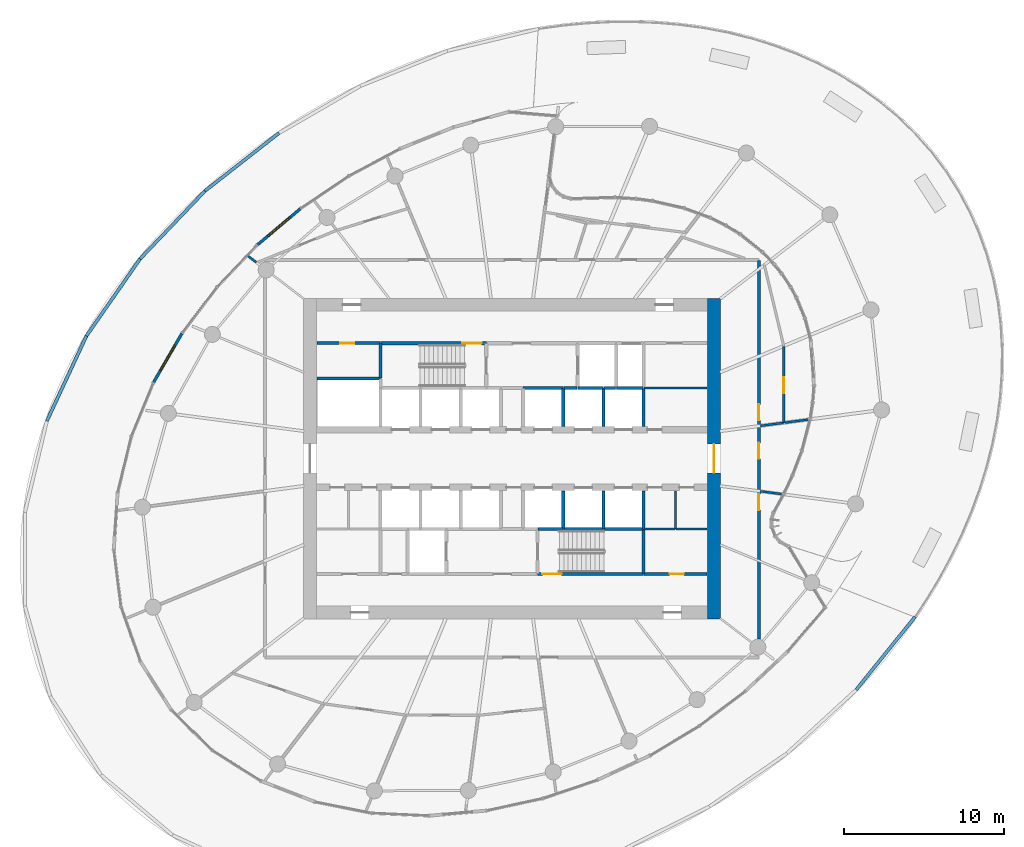
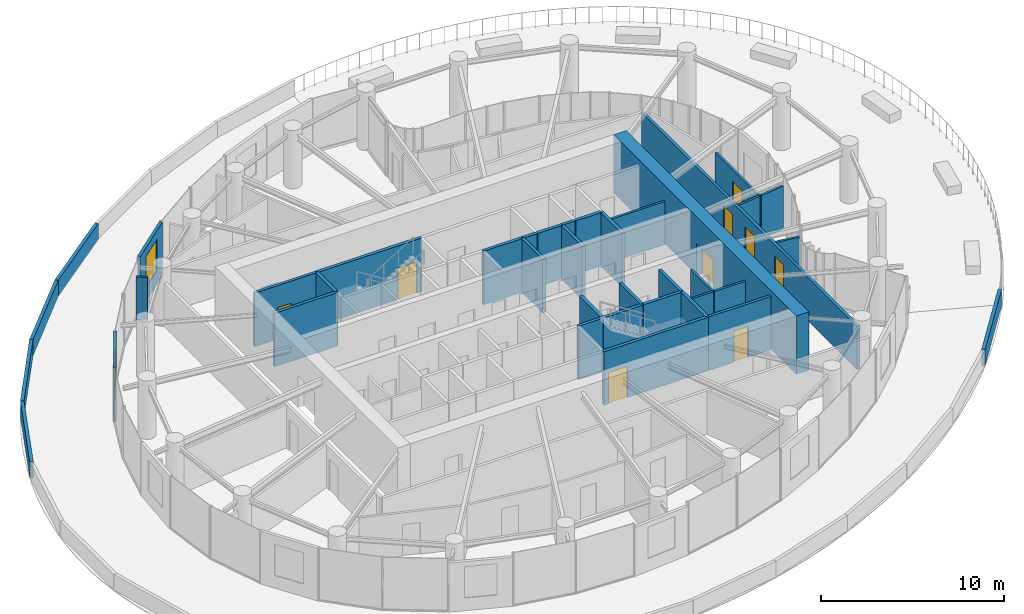
# One storey, part 15 of 21: 39 walls, 9 doors, 2 windows, 11 openings.
"""IFC4 building model written with IfcOpenShell, lengths in metres."""

from ifc_helpers import new_model, si_unit, direction, frame, frame_2d, origin, place, context, subcontext, project, spatial, rectangle, extrude, source, transform, mapped, material, layer, layer_set, type_object, element, fill, save


model = new_model("IFC4")

# Units and contexts
model_context = context("Model", 3, precision=1e-05, world=origin(), true_north=direction((0.0, 1.0)))
body_context = subcontext(model_context, "Body", "Model", "MODEL_VIEW")
ifc_project = project(units=[si_unit("LENGTHUNIT", "METRE"), si_unit("AREAUNIT", "SQUARE_METRE"), si_unit("VOLUMEUNIT", "CUBIC_METRE"), si_unit("PLANEANGLEUNIT", "RADIAN"), si_unit("MASSUNIT", "GRAM", prefix="KILO")], contexts=[model_context])

# Site, building, storey
site_placement = place(None, origin())
site = spatial("IfcSite", under=ifc_project, at=site_placement, CompositionType="ELEMENT")
building_placement = place(site_placement, origin())
building = spatial("IfcBuilding", under=site, at=building_placement, Name="Spindrift Exchange Tower", CompositionType="ELEMENT")
storey_placement = place(building_placement, frame((0.0, 0.0, 133.10009765625)))
storey = spatial("IfcBuildingStorey", under=building, at=storey_placement, Name="L31", CompositionType="ELEMENT", Elevation=133.10009765625)

# Walls
ifc_material_1 = material(Name="Concrete 40 MPa", Category="concrete")
ifc_layer_1 = layer(ifc_material_1, 0.199951171875)
ifc_layer_set_1 = layer_set([ifc_layer_1], Name="LEDGE PARAPET 1100")
wall_type_1 = type_object("IfcWallType", Name="LEDGE PARAPET 1100", PredefinedType="PARAPET", material=ifc_layer_set_1)
wall_1_placement = place(storey_placement, frame((77.1533203125, 38.13134765625, 0.0), z_axis=(0.0, 0.0, 1.0), x_axis=(-0.628118866057, -0.778117401234, 0.0)))
element("IfcWall", 1, at=wall_1_placement, inside=storey, type_object=wall_type_1, Name="L31 Ledge Parapet 1", PredefinedType="PARAPET", context=body_context, shape_type="SweptSolid", body=[
    extrude(rectangle(XDim=5.859375, YDim=0.199951171875, at=frame_2d((2.9296875, 0.0))), origin(), (0.0, 0.0, 1.0), 1.099853515625),
])
wall_2_placement = place(storey_placement, frame((22.977783203125, 50.34228515625, 0.0), z_axis=(0.0, 0.0, 1.0), x_axis=(0.421792115141, 0.906692567304, 0.0)))
element("IfcWall", 2, at=wall_2_placement, inside=storey, type_object=wall_type_1, Name="L31 Ledge Parapet 15", PredefinedType="PARAPET", context=body_context, shape_type="SweptSolid", body=[
    extrude(rectangle(XDim=5.85693359375, YDim=0.199951171875, at=frame_2d((2.928466796875, 0.0))), origin(), (0.0, 0.0, 1.0), 1.099853515625),
])
wall_3_placement = place(storey_placement, frame((25.4482421875, 55.65283203125, 0.0), z_axis=(0.0, 0.0, 1.0), x_axis=(0.571368470794, 0.820693652091, 0.0)))
element("IfcWall", 3, at=wall_3_placement, inside=storey, type_object=wall_type_1, Name="L31 Ledge Parapet 16", PredefinedType="PARAPET", context=body_context, shape_type="SweptSolid", body=[
    extrude(rectangle(XDim=5.858642578125, YDim=0.199951171875, at=frame_2d((2.92919921875, 0.0))), origin(), (0.0, 0.0, 1.0), 1.099853515625),
])
wall_4_placement = place(storey_placement, frame((28.795654296875, 60.4609375, 0.0), z_axis=(0.0, 0.0, 1.0), x_axis=(0.690863095069, 0.722985604194, 0.0)))
element("IfcWall", 4, at=wall_4_placement, inside=storey, type_object=wall_type_1, Name="L31 Ledge Parapet 17", PredefinedType="PARAPET", context=body_context, shape_type="SweptSolid", body=[
    extrude(rectangle(XDim=5.85986328125, YDim=0.199951171875, at=frame_2d((2.929931640625, 0.0))), origin(), (0.0, 0.0, 1.0), 1.099853515625),
])
wall_5_placement = place(storey_placement, frame((32.843994140625, 64.697509765625, 0.0), z_axis=(0.0, 0.0, 1.0), x_axis=(0.787606085657, 0.616179076111, 0.0)))
element("IfcWall", 5, at=wall_5_placement, inside=storey, type_object=wall_type_1, Name="L31 Ledge Parapet 18", PredefinedType="PARAPET", context=body_context, shape_type="SweptSolid", body=[
    extrude(rectangle(XDim=5.8603515625, YDim=0.199951171875, at=frame_2d((2.93017578125, 0.0))), origin(), (0.0, 0.0, 1.0), 1.099853515625),
])

# Wall, opening, door
ifc_material_2 = material(Name="Concrete 65 MPa", Category="concrete")
ifc_layer_2 = layer(ifc_material_2, 0.800048828125)
ifc_layer_set_2 = layer_set([ifc_layer_2], Name="RC Core Wall 800 Concrete 65 MPa")
wall_type_2 = type_object("IfcWallType", Name="RC Core Wall 800 Concrete 65 MPa", PredefinedType="SHEAR", material=ifc_layer_set_2)
wall_6_placement = place(storey_placement, frame((64.60009765625, 38.0, 0.0), z_axis=(0.0, 0.0, 1.0), x_axis=(0.0, 1.0, 0.0)))
wall_6 = element("IfcWall", 6, at=wall_6_placement, inside=storey, type_object=wall_type_2, Name="Core wall E L31", PredefinedType="SHEAR", context=body_context, shape_type="SweptSolid", body=[
    extrude(rectangle(XDim=20.0, YDim=0.800048828125, at=frame_2d((10.0, 0.0))), origin(), (0.0, 0.0, 1.0), 3.89990234375),
])
opening_1_placement = place(wall_6_placement, frame((9.10009765625, 0.0, 0.0)))
opening_1 = element("IfcOpeningElement", 7, at=opening_1_placement, cuts=wall_6, Name="Opening L31-D2", PredefinedType="OPENING", context=body_context, shape_type="SweptSolid", body=[
    extrude(rectangle(XDim=1.800048828125, YDim=2.10009765625, at=frame_2d((0.89990234375, 1.050048828125))), frame((0.0, 0.409912109375, 0.0), z_axis=(0.0, -1.0, 0.0), x_axis=(1.0, 0.0, 0.0)), (0.0, 0.0, 1.0), 0.820068359375),
])
ifc_material_3 = material(Name="Timber-core fire door", Category="wood")
door_type_1 = type_object("IfcDoorType", Name="DR-LOBBY-1800", OperationType="NOTDEFINED", PredefinedType="DOOR", material=ifc_material_3)
shared_shape_1 = source(origin(), body_context, "Body", "SweptSolid", [
    extrude(rectangle(XDim=1.800048828125, YDim=2.10009765625, at=frame_2d((0.89990234375, 1.050048828125))), frame((0.0, 0.02490234375, 0.0), z_axis=(0.0, -1.0, 0.0), x_axis=(1.0, 0.0, 0.0)), (0.0, 0.0, 1.0), 0.050048828125),
])
door_1_placement = place(opening_1_placement, origin())
door_1 = element("IfcDoor", 8, at=door_1_placement, inside=storey, type_object=door_type_1, Name="L31 Lobby door 2", OperationType="SINGLE_SWING_RIGHT", OverallHeight=2.10009765625, OverallWidth=1.800048828125, PredefinedType="DOOR", context=body_context, shape_type="MappedRepresentation", body=[
    mapped(shared_shape_1, transform((0.0, 0.0, 0.0), scale=1.0)),
])
fill(opening_1, door_1)

# Wall, opening, window
ifc_material_4 = material(Name="Bronze anodised aluminium frame with fritted laminated glass spandrel", Category="aluminium")
ifc_layer_3 = layer(ifc_material_4, 0.179931640625)
ifc_layer_set_3 = layer_set([ifc_layer_3], Name="UNITISED FRAME WALL")
wall_type_3 = type_object("IfcWallType", Name="UNITISED FRAME WALL", PredefinedType="STANDARD", material=ifc_layer_set_3)
wall_7_placement = place(storey_placement, frame((38.813232421875, 63.601806640625, 0.0), z_axis=(0.0, 0.0, 1.0), x_axis=(-0.765266094185, -0.643714070913, 0.0)))
wall_7 = element("IfcWall", 9, at=wall_7_placement, inside=storey, type_object=wall_type_3, Name="L31 Frame Wall 5", PredefinedType="STANDARD", context=body_context, shape_type="SweptSolid", body=[
    extrude(rectangle(XDim=3.531005859375, YDim=0.179931640625, at=frame_2d((1.765625, 0.0))), origin(), (0.0, 0.0, 1.0), 3.579833984375),
])
opening_2_placement = place(wall_7_placement, frame((0.865478515625, 0.0, 0.89990234375)))
opening_2 = element("IfcOpeningElement", 10, at=opening_2_placement, cuts=wall_7, Name="Opening WV31-02", PredefinedType="OPENING", context=body_context, shape_type="SweptSolid", body=[
    extrude(rectangle(XDim=1.800048828125, YDim=2.10009765625, at=frame_2d((0.89990234375, 1.050048828125))), frame((0.0, 0.099853515625, 0.0), z_axis=(0.0, -1.0, 0.0), x_axis=(1.0, 0.0, 0.0)), (0.0, 0.0, 1.0), 0.199951171875),
])
ifc_material_5 = material(Name="Clear laminated low-iron glass in bronze frame", Category="glass")
window_type = type_object("IfcWindowType", Name="OPERABLE CLEAR VENT 1800X2100", PartitioningType="SINGLE_PANEL", PredefinedType="WINDOW", material=ifc_material_5)
shared_shape_2 = source(origin(), body_context, "Body", "SweptSolid", [
    extrude(rectangle(XDim=1.800048828125, YDim=2.10009765625, at=frame_2d((0.89990234375, 1.050048828125))), frame((0.0, 0.030029296875, 0.0), z_axis=(0.0, -1.0, 0.0), x_axis=(1.0, 0.0, 0.0)), (0.0, 0.0, 1.0), 0.06005859375),
])
window_1_placement = place(opening_2_placement, origin())
window_1 = element("IfcWindow", 11, at=window_1_placement, inside=storey, type_object=window_type, Name="L31 Operable Vent WV31-02", OverallHeight=2.10009765625, OverallWidth=1.800048828125, PartitioningType="SINGLE_PANEL", PredefinedType="WINDOW", context=body_context, shape_type="MappedRepresentation", body=[
    mapped(shared_shape_2, transform((0.0, 0.0, 0.0), scale=1.0)),
])
fill(opening_2, window_1)

wall_8_placement = place(storey_placement, frame((31.404052734375, 55.8037109375, 0.0), z_axis=(0.0, 0.0, 1.0), x_axis=(-0.501551441293, -0.865127823929, 0.0)))
wall_8 = element("IfcWall", 12, at=wall_8_placement, inside=storey, type_object=wall_type_3, Name="L31 Frame Wall 8", PredefinedType="STANDARD", context=body_context, shape_type="SweptSolid", body=[
    extrude(rectangle(XDim=3.530029296875, YDim=0.179931640625, at=frame_2d((1.76513671875, 0.0))), origin(), (0.0, 0.0, 1.0), 3.579833984375),
])
opening_3_placement = place(wall_8_placement, frame((0.864990234375, 0.0, 0.89990234375)))
opening_3 = element("IfcOpeningElement", 13, at=opening_3_placement, cuts=wall_8, Name="Opening WV31-03", PredefinedType="OPENING", context=body_context, shape_type="SweptSolid", body=[
    extrude(rectangle(XDim=1.800048828125, YDim=2.10009765625, at=frame_2d((0.89990234375, 1.050048828125))), frame((0.0, 0.099853515625, 0.0), z_axis=(0.0, -1.0, 0.0), x_axis=(1.0, 0.0, 0.0)), (0.0, 0.0, 1.0), 0.199951171875),
])
window_2_placement = place(opening_3_placement, origin())
window_2 = element("IfcWindow", 14, at=window_2_placement, inside=storey, type_object=window_type, Name="L31 Operable Vent WV31-03", OverallHeight=2.10009765625, OverallWidth=1.800048828125, PartitioningType="SINGLE_PANEL", PredefinedType="WINDOW", context=body_context, shape_type="MappedRepresentation", body=[
    mapped(shared_shape_2, transform((0.0, 0.0, 0.0), scale=1.0)),
])
fill(opening_3, window_2)

# Wall, openings, doors
ifc_material_6 = material(Name="Fire-rated plasterboard partition", Category="gypsum")
ifc_layer_4 = layer(ifc_material_6, 0.179931640625)
ifc_layer_set_4 = layer_set([ifc_layer_4], Name="W-CORR-180")
wall_type_4 = type_object("IfcWallType", Name="W-CORR-180", PredefinedType="PARTITIONING", material=ifc_layer_set_4)
wall_9_placement = place(storey_placement, frame((67.39990234375, 60.3701171875, 0.0), z_axis=(0.0, 0.0, 1.0), x_axis=(0.0, -1.0, 0.0)))
wall_9 = element("IfcWall", 15, at=wall_9_placement, inside=storey, type_object=wall_type_4, Name="L31 Partition wall 60", PredefinedType="PARTITIONING", context=body_context, shape_type="SweptSolid", body=[
    extrude(rectangle(XDim=23.6376953125, YDim=0.179931640625, at=frame_2d((11.81884765625, 0.0))), origin(), (0.0, 0.0, 1.0), 2.8798828125),
])
opening_4_placement = place(wall_9_placement, frame((8.987548828125, 0.0, 0.0)))
opening_4 = element("IfcOpeningElement", 16, at=opening_4_placement, cuts=wall_9, Name="Opening L31-D29", PredefinedType="OPENING", context=body_context, shape_type="SweptSolid", body=[
    extrude(rectangle(XDim=1.0, YDim=2.10009765625, at=frame_2d((0.5, 1.050048828125))), frame((0.0, 0.099853515625, 0.0), z_axis=(0.0, -1.0, 0.0), x_axis=(1.0, 0.0, 0.0)), (0.0, 0.0, 1.0), 0.199951171875),
])
opening_5_placement = place(wall_9_placement, frame((14.58740234375, 0.0, 0.0)))
opening_5 = element("IfcOpeningElement", 17, at=opening_5_placement, cuts=wall_9, Name="Opening L31-D48", PredefinedType="OPENING", context=body_context, shape_type="SweptSolid", body=[
    extrude(rectangle(XDim=1.0, YDim=2.10009765625, at=frame_2d((0.5, 1.050048828125))), frame((0.0, 0.099853515625, 0.0), z_axis=(0.0, -1.0, 0.0), x_axis=(1.0, 0.0, 0.0)), (0.0, 0.0, 1.0), 0.199951171875),
])
opening_6_placement = place(wall_9_placement, frame((11.387451171875, 0.0, 0.0)))
opening_6 = element("IfcOpeningElement", 18, at=opening_6_placement, cuts=wall_9, Name="Opening L31-D49", PredefinedType="OPENING", context=body_context, shape_type="SweptSolid", body=[
    extrude(rectangle(XDim=1.0, YDim=2.10009765625, at=frame_2d((0.5, 1.050048828125))), frame((0.0, 0.099853515625, 0.0), z_axis=(0.0, -1.0, 0.0), x_axis=(1.0, 0.0, 0.0)), (0.0, 0.0, 1.0), 0.199951171875),
])
door_type_2 = type_object("IfcDoorType", Name="DR-ROOM-1000", OperationType="NOTDEFINED", PredefinedType="DOOR", material=ifc_material_3)
shared_shape_3 = source(origin(), body_context, "Body", "SweptSolid", [
    extrude(rectangle(XDim=1.0, YDim=2.10009765625, at=frame_2d((0.5, 1.050048828125))), frame((0.0, 0.02490234375, 0.0), z_axis=(0.0, -1.0, 0.0), x_axis=(1.0, 0.0, 0.0)), (0.0, 0.0, 1.0), 0.050048828125),
])
door_2_placement = place(opening_4_placement, origin())
door_2 = element("IfcDoor", 19, at=door_2_placement, inside=storey, type_object=door_type_2, Name="L31 Door 29", OperationType="SINGLE_SWING_RIGHT", OverallHeight=2.10009765625, OverallWidth=1.0, PredefinedType="DOOR", context=body_context, shape_type="MappedRepresentation", body=[
    mapped(shared_shape_3, transform((0.0, 0.0, 0.0), scale=1.0)),
])
fill(opening_4, door_2)
door_3_placement = place(opening_5_placement, origin())
door_3 = element("IfcDoor", 20, at=door_3_placement, inside=storey, type_object=door_type_2, Name="L31 Door 48", OperationType="SINGLE_SWING_LEFT", OverallHeight=2.10009765625, OverallWidth=1.0, PredefinedType="DOOR", context=body_context, shape_type="MappedRepresentation", body=[
    mapped(shared_shape_3, transform((0.0, 0.0, 0.0), scale=1.0)),
])
fill(opening_5, door_3)
door_4_placement = place(opening_6_placement, origin())
door_4 = element("IfcDoor", 21, at=door_4_placement, inside=storey, type_object=door_type_2, Name="L31 Door 49", OperationType="SINGLE_SWING_RIGHT", OverallHeight=2.10009765625, OverallWidth=1.0, PredefinedType="DOOR", context=body_context, shape_type="MappedRepresentation", body=[
    mapped(shared_shape_3, transform((0.0, 0.0, 0.0), scale=1.0)),
])
fill(opening_6, door_4)

# Wall, opening, door
wall_10_placement = place(storey_placement, frame((60.22998046875, 40.800048828125, 0.0), z_axis=(0.0, 0.0, 1.0), x_axis=(1.0, 0.0, 0.0)))
wall_10 = element("IfcWall", 22, at=wall_10_placement, inside=storey, type_object=wall_type_4, Name="L31 Partition wall 61", PredefinedType="PARTITIONING", context=body_context, shape_type="SweptSolid", body=[
    extrude(rectangle(XDim=3.949951171875, YDim=0.179931640625, at=frame_2d((1.97509765625, 0.0))), origin(), (0.0, 0.0, 1.0), 3.579833984375),
])
opening_7_placement = place(wall_10_placement, frame((1.60009765625, 0.0, 0.0)))
opening_7 = element("IfcOpeningElement", 23, at=opening_7_placement, cuts=wall_10, Name="Opening L31-D56", PredefinedType="OPENING", context=body_context, shape_type="SweptSolid", body=[
    extrude(rectangle(XDim=0.89990234375, YDim=2.10009765625, at=frame_2d((0.449951171875, 1.050048828125))), frame((0.0, 0.099853515625, 0.0), z_axis=(0.0, -1.0, 0.0), x_axis=(1.0, 0.0, 0.0)), (0.0, 0.0, 1.0), 0.199951171875),
])
ifc_material_7 = material(Name="Steel access door", Category="steel")
door_type_3 = type_object("IfcDoorType", Name="DR-RISER-900", OperationType="NOTDEFINED", PredefinedType="DOOR", material=ifc_material_7)
shared_shape_4 = source(origin(), body_context, "Body", "SweptSolid", [
    extrude(rectangle(XDim=0.89990234375, YDim=2.10009765625, at=frame_2d((0.449951171875, 1.050048828125))), frame((0.0, 0.02490234375, 0.0), z_axis=(0.0, -1.0, 0.0), x_axis=(1.0, 0.0, 0.0)), (0.0, 0.0, 1.0), 0.050048828125),
])
door_5_placement = place(opening_7_placement, origin())
door_5 = element("IfcDoor", 24, at=door_5_placement, inside=storey, type_object=door_type_3, Name="L31 Riser door 56", OperationType="SINGLE_SWING_LEFT", OverallHeight=2.10009765625, OverallWidth=0.89990234375, PredefinedType="DOOR", context=body_context, shape_type="MappedRepresentation", body=[
    mapped(shared_shape_4, transform((0.0, 0.0, 0.0), scale=1.0)),
])
fill(opening_7, door_5)

wall_11_placement = place(storey_placement, frame((43.77001953125, 55.199951171875, 0.0), z_axis=(0.0, 0.0, 1.0), x_axis=(-1.0, 0.0, 0.0)))
wall_11 = element("IfcWall", 25, at=wall_11_placement, inside=storey, type_object=wall_type_4, Name="L31 Partition wall 64", PredefinedType="PARTITIONING", context=body_context, shape_type="SweptSolid", body=[
    extrude(rectangle(XDim=3.949951171875, YDim=0.179931640625, at=frame_2d((1.97509765625, 0.0))), origin(), (0.0, 0.0, 1.0), 3.579833984375),
])
opening_8_placement = place(wall_11_placement, frame((1.60009765625, 0.0, 0.0)))
opening_8 = element("IfcOpeningElement", 26, at=opening_8_placement, cuts=wall_11, Name="Opening L31-D50", PredefinedType="OPENING", context=body_context, shape_type="SweptSolid", body=[
    extrude(rectangle(XDim=0.89990234375, YDim=2.10009765625, at=frame_2d((0.449951171875, 1.050048828125))), frame((0.0, 0.099853515625, 0.0), z_axis=(0.0, -1.0, 0.0), x_axis=(1.0, 0.0, 0.0)), (0.0, 0.0, 1.0), 0.199951171875),
])
door_6_placement = place(opening_8_placement, origin())
door_6 = element("IfcDoor", 27, at=door_6_placement, inside=storey, type_object=door_type_3, Name="L31 Riser door 50", OperationType="SINGLE_SWING_LEFT", OverallHeight=2.10009765625, OverallWidth=0.89990234375, PredefinedType="DOOR", context=body_context, shape_type="MappedRepresentation", body=[
    mapped(shared_shape_4, transform((0.0, 0.0, 0.0), scale=1.0)),
])
fill(opening_8, door_6)

ifc_layer_5 = layer(ifc_material_6, 0.139892578125)
ifc_layer_set_5 = layer_set([ifc_layer_5], Name="W-PART-140")
wall_type_5 = type_object("IfcWallType", Name="W-PART-140", PredefinedType="PARTITIONING", material=ifc_layer_set_5)
wall_12_placement = place(storey_placement, frame((68.955322265625, 54.9931640625, 0.0), z_axis=(0.0, 0.0, 1.0), x_axis=(0.001230894544, -0.999999242449, 0.0)))
wall_12 = element("IfcWall", 28, at=wall_12_placement, inside=storey, type_object=wall_type_5, Name="L31 Partition wall 72", PredefinedType="PARTITIONING", context=body_context, shape_type="SweptSolid", body=[
    extrude(rectangle(XDim=4.76025390625, YDim=0.139892578125, at=frame_2d((2.380126953125, 0.0))), origin(), (0.0, 0.0, 1.0), 2.8798828125),
])
opening_9_placement = place(wall_12_placement, frame((1.91015625, 0.0, 0.0)))
opening_9 = element("IfcOpeningElement", 29, at=opening_9_placement, cuts=wall_12, Name="Opening L31-D30", PredefinedType="OPENING", context=body_context, shape_type="SweptSolid", body=[
    extrude(rectangle(XDim=1.0, YDim=2.10009765625, at=frame_2d((0.5, 1.050048828125))), frame((0.0, 0.079833984375, 0.0), z_axis=(0.0, -1.0, 0.0), x_axis=(1.0, 0.0, 0.0)), (0.0, 0.0, 1.0), 0.159912109375),
])
door_7_placement = place(opening_9_placement, origin())
door_7 = element("IfcDoor", 30, at=door_7_placement, inside=storey, type_object=door_type_2, Name="L31 Door 30", OperationType="SINGLE_SWING_LEFT", OverallHeight=2.10009765625, OverallWidth=1.0, PredefinedType="DOOR", context=body_context, shape_type="MappedRepresentation", body=[
    mapped(shared_shape_3, transform((0.0, 0.0, 0.0), scale=1.0)),
])
fill(opening_9, door_7)

# Walls
wall_13_placement = place(storey_placement, frame((64.179931640625, 52.39990234375, 0.0), z_axis=(0.0, 0.0, 1.0), x_axis=(-1.0, 0.0, 0.0)))
element("IfcWall", 31, at=wall_13_placement, inside=storey, type_object=wall_type_5, Name="L31 Partition wall 82", PredefinedType="PARTITIONING", context=body_context, shape_type="SweptSolid", body=[
    extrude(rectangle(XDim=3.949951171875, YDim=0.139892578125, at=frame_2d((1.97509765625, 0.0))), origin(), (0.0, 0.0, 1.0), 2.8798828125),
])
wall_14_placement = place(storey_placement, frame((62.199951171875, 43.60009765625, 0.0), z_axis=(0.0, 0.0, 1.0), x_axis=(0.0, 1.0, 0.0)))
element("IfcWall", 32, at=wall_14_placement, inside=storey, type_object=wall_type_5, Name="L31 Partition wall 90", PredefinedType="PARTITIONING", context=body_context, shape_type="SweptSolid", body=[
    extrude(rectangle(XDim=2.389892578125, YDim=0.139892578125, at=frame_2d((1.19482421875, 0.0))), origin(), (0.0, 0.0, 1.0), 2.8798828125),
])
wall_15_placement = place(storey_placement, frame((60.22998046875, 43.60009765625, 0.0), z_axis=(0.0, 0.0, 1.0), x_axis=(1.0, 0.0, 0.0)))
element("IfcWall", 33, at=wall_15_placement, inside=storey, type_object=wall_type_5, Name="L31 Partition wall 93", PredefinedType="PARTITIONING", context=body_context, shape_type="SweptSolid", body=[
    extrude(rectangle(XDim=1.93994140625, YDim=0.139892578125, at=frame_2d((0.969970703125, 0.0))), origin(), (0.0, 0.0, 1.0), 2.8798828125),
])
wall_16_placement = place(storey_placement, frame((62.22998046875, 43.60009765625, 0.0), z_axis=(0.0, 0.0, 1.0), x_axis=(1.0, 0.0, 0.0)))
element("IfcWall", 34, at=wall_16_placement, inside=storey, type_object=wall_type_5, Name="L31 Partition wall 94", PredefinedType="PARTITIONING", context=body_context, shape_type="SweptSolid", body=[
    extrude(rectangle(XDim=1.949951171875, YDim=0.139892578125, at=frame_2d((0.97509765625, 0.0))), origin(), (0.0, 0.0, 1.0), 2.8798828125),
])
wall_17_placement = place(storey_placement, frame((69.03125, 50.2421875, 0.0), z_axis=(0.0, 0.0, 1.0), x_axis=(0.991444899248, 0.130525904535, 0.0)))
element("IfcWall", 35, at=wall_17_placement, inside=storey, type_object=wall_type_5, Name="L31 Partition wall 98", PredefinedType="PARTITIONING", context=body_context, shape_type="SweptSolid", body=[
    extrude(rectangle(XDim=1.50390625, YDim=0.139892578125, at=frame_2d((0.751953125, 0.0))), origin(), (0.0, 0.0, 1.0), 2.8798828125),
])
wall_18_placement = place(storey_placement, frame((67.489990234375, 50.039306640625, 0.0), z_axis=(0.0, 0.0, 1.0), x_axis=(0.991450865751, 0.130480576336, 0.0)))
element("IfcWall", 36, at=wall_18_placement, inside=storey, type_object=wall_type_5, Name="L31 Partition wall 99", PredefinedType="PARTITIONING", context=body_context, shape_type="SweptSolid", body=[
    extrude(rectangle(XDim=1.453857421875, YDim=0.139892578125, at=frame_2d((0.72705078125, 0.0))), origin(), (0.0, 0.0, 1.0), 2.8798828125),
])
wall_19_placement = place(storey_placement, frame((67.489990234375, 45.960693359375, 0.0), z_axis=(0.0, 0.0, 1.0), x_axis=(0.991453697095, -0.130459060692, 0.0)))
element("IfcWall", 37, at=wall_19_placement, inside=storey, type_object=wall_type_5, Name="L31 Partition wall 100", PredefinedType="PARTITIONING", context=body_context, shape_type="SweptSolid", body=[
    extrude(rectangle(XDim=1.388671875, YDim=0.139892578125, at=frame_2d((0.6943359375, 0.0))), origin(), (0.0, 0.0, 1.0), 2.8798828125),
])
wall_20_placement = place(storey_placement, frame((36.04638671875, 60.24169921875, 0.0), z_axis=(0.0, 0.0, 1.0), x_axis=(-0.793476968481, 0.608600279732, 0.0)))
element("IfcWall", 38, at=wall_20_placement, inside=storey, type_object=wall_type_5, Name="L31 Partition wall 112", PredefinedType="PARTITIONING", context=body_context, shape_type="SweptSolid", body=[
    extrude(rectangle(XDim=0.637939453125, YDim=0.139892578125, at=frame_2d((0.31884765625, 0.0))), origin(), (0.0, 0.0, 1.0), 2.8798828125),
])
ifc_layer_6 = layer(ifc_material_1, 0.199951171875)
ifc_layer_set_6 = layer_set([ifc_layer_6], Name="W-SHAFT-200")
wall_type_6 = type_object("IfcWallType", Name="W-SHAFT-200", PredefinedType="SOLIDWALL", material=ifc_layer_set_6)
wall_21_placement = place(storey_placement, frame((55.199951171875, 52.39990234375, 0.0), z_axis=(0.0, 0.0, 1.0), x_axis=(-1.0, 0.0, 0.0)))
element("IfcWall", 39, at=wall_21_placement, inside=storey, type_object=wall_type_6, Name="L31 Shaft wall 18", PredefinedType="SOLIDWALL", context=body_context, shape_type="SweptSolid", body=[
    extrude(rectangle(XDim=2.5, YDim=0.199951171875, at=frame_2d((1.25, 0.0))), origin(), (0.0, 0.0, 1.0), 3.579833984375),
])
wall_22_placement = place(storey_placement, frame((55.199951171875, 50.010009765625, 0.0), z_axis=(0.0, 0.0, 1.0), x_axis=(0.0, 1.0, 0.0)))
element("IfcWall", 40, at=wall_22_placement, inside=storey, type_object=wall_type_6, Name="L31 Shaft wall 34", PredefinedType="SOLIDWALL", context=body_context, shape_type="SweptSolid", body=[
    extrude(rectangle(XDim=2.360107421875, YDim=0.199951171875, at=frame_2d((1.18017578125, 0.0))), origin(), (0.0, 0.0, 1.0), 3.579833984375),
])
wall_23_placement = place(storey_placement, frame((57.699951171875, 50.010009765625, 0.0), z_axis=(0.0, 0.0, 1.0), x_axis=(0.0, 1.0, 0.0)))
element("IfcWall", 41, at=wall_23_placement, inside=storey, type_object=wall_type_6, Name="L31 Shaft wall 36", PredefinedType="SOLIDWALL", context=body_context, shape_type="SweptSolid", body=[
    extrude(rectangle(XDim=2.389892578125, YDim=0.199951171875, at=frame_2d((1.19482421875, 0.0))), origin(), (0.0, 0.0, 1.0), 3.579833984375),
])
wall_24_placement = place(storey_placement, frame((60.199951171875, 50.010009765625, 0.0), z_axis=(0.0, 0.0, 1.0), x_axis=(0.0, 1.0, 0.0)))
element("IfcWall", 42, at=wall_24_placement, inside=storey, type_object=wall_type_6, Name="L31 Shaft wall 38", PredefinedType="SOLIDWALL", context=body_context, shape_type="SweptSolid", body=[
    extrude(rectangle(XDim=2.360107421875, YDim=0.199951171875, at=frame_2d((1.18017578125, 0.0))), origin(), (0.0, 0.0, 1.0), 3.579833984375),
])
wall_25_placement = place(storey_placement, frame((60.169921875, 52.39990234375, 0.0), z_axis=(0.0, 0.0, 1.0), x_axis=(-1.0, 0.0, 0.0)))
element("IfcWall", 43, at=wall_25_placement, inside=storey, type_object=wall_type_6, Name="L31 Shaft wall 42", PredefinedType="SOLIDWALL", context=body_context, shape_type="SweptSolid", body=[
    extrude(rectangle(XDim=1.639892578125, YDim=0.199951171875, at=frame_2d((0.81982421875, 0.0))), origin(), (0.0, 0.0, 1.0), 3.579833984375),
])
wall_26_placement = place(storey_placement, frame((57.669921875, 52.39990234375, 0.0), z_axis=(0.0, 0.0, 1.0), x_axis=(-1.0, 0.0, 0.0)))
element("IfcWall", 44, at=wall_26_placement, inside=storey, type_object=wall_type_6, Name="L31 Shaft wall 47", PredefinedType="SOLIDWALL", context=body_context, shape_type="SweptSolid", body=[
    extrude(rectangle(XDim=1.5400390625, YDim=0.199951171875, at=frame_2d((0.77001953125, 0.0))), origin(), (0.0, 0.0, 1.0), 3.579833984375),
])
wall_27_placement = place(storey_placement, frame((56.070068359375, 52.39990234375, 0.0), z_axis=(0.0, 0.0, 1.0), x_axis=(-1.0, 0.0, 0.0)))
element("IfcWall", 45, at=wall_27_placement, inside=storey, type_object=wall_type_6, Name="L31 Shaft wall 53", PredefinedType="SOLIDWALL", context=body_context, shape_type="SweptSolid", body=[
    extrude(rectangle(XDim=0.840087890625, YDim=0.199951171875, at=frame_2d((0.419921875, 0.0))), origin(), (0.0, 0.0, 1.0), 3.579833984375),
])
wall_28_placement = place(storey_placement, frame((58.469970703125, 52.39990234375, 0.0), z_axis=(0.0, 0.0, 1.0), x_axis=(-1.0, 0.0, 0.0)))
element("IfcWall", 46, at=wall_28_placement, inside=storey, type_object=wall_type_6, Name="L31 Shaft wall 55", PredefinedType="SOLIDWALL", context=body_context, shape_type="SweptSolid", body=[
    extrude(rectangle(XDim=0.739990234375, YDim=0.199951171875, at=frame_2d((0.3701171875, 0.0))), origin(), (0.0, 0.0, 1.0), 3.579833984375),
])

# Wall, opening, door
ifc_layer_7 = layer(ifc_material_1, 0.199951171875)
ifc_layer_set_7 = layer_set([ifc_layer_7], Name="W-SHAFT-200-LB")
wall_type_7 = type_object("IfcWallType", Name="W-SHAFT-200-LB", PredefinedType="SOLIDWALL", material=ifc_layer_set_7)
wall_29_placement = place(storey_placement, frame((50.39990234375, 55.199951171875, 0.0), z_axis=(0.0, 0.0, 1.0), x_axis=(-1.0, 0.0, 0.0)))
wall_29 = element("IfcWall", 47, at=wall_29_placement, inside=storey, type_object=wall_type_7, Name="L31 Shaft wall 1", PredefinedType="SOLIDWALL", context=body_context, shape_type="SweptSolid", body=[
    extrude(rectangle(XDim=6.599853515625, YDim=0.199951171875, at=frame_2d((3.2998046875, 0.0))), origin(), (0.0, 0.0, 1.0), 3.579833984375),
])
opening_10_placement = place(wall_29_placement, frame((0.300048828125, 0.0, 0.0)))
opening_10 = element("IfcOpeningElement", 48, at=opening_10_placement, cuts=wall_29, Name="Opening L31-D18", PredefinedType="OPENING", context=body_context, shape_type="SweptSolid", body=[
    extrude(rectangle(XDim=1.199951171875, YDim=2.10009765625, at=frame_2d((0.60009765625, 1.050048828125))), frame((0.0, 0.10986328125, 0.0), z_axis=(0.0, -1.0, 0.0), x_axis=(1.0, 0.0, 0.0)), (0.0, 0.0, 1.0), 0.219970703125),
])
ifc_material_8 = material(Name="Steel fire door", Category="steel")
door_type_4 = type_object("IfcDoorType", Name="DR-STAIR-1200", OperationType="NOTDEFINED", PredefinedType="DOOR", material=ifc_material_8)
shared_shape_5 = source(origin(), body_context, "Body", "SweptSolid", [
    extrude(rectangle(XDim=1.199951171875, YDim=2.10009765625, at=frame_2d((0.60009765625, 1.050048828125))), frame((0.0, 0.02490234375, 0.0), z_axis=(0.0, -1.0, 0.0), x_axis=(1.0, 0.0, 0.0)), (0.0, 0.0, 1.0), 0.050048828125),
])
door_8_placement = place(opening_10_placement, origin())
door_8 = element("IfcDoor", 49, at=door_8_placement, inside=storey, type_object=door_type_4, Name="L31 Stair door 18", OperationType="SINGLE_SWING_LEFT", OverallHeight=2.10009765625, OverallWidth=1.199951171875, PredefinedType="DOOR", context=body_context, shape_type="MappedRepresentation", body=[
    mapped(shared_shape_5, transform((0.0, 0.0, 0.0), scale=1.0)),
])
fill(opening_10, door_8)

wall_30_placement = place(storey_placement, frame((53.60009765625, 40.800048828125, 0.0), z_axis=(0.0, 0.0, 1.0), x_axis=(1.0, 0.0, 0.0)))
wall_30 = element("IfcWall", 50, at=wall_30_placement, inside=storey, type_object=wall_type_7, Name="L31 Shaft wall 2", PredefinedType="SOLIDWALL", context=body_context, shape_type="SweptSolid", body=[
    extrude(rectangle(XDim=6.599853515625, YDim=0.199951171875, at=frame_2d((3.2998046875, 0.0))), origin(), (0.0, 0.0, 1.0), 3.579833984375),
])
opening_11_placement = place(wall_30_placement, frame((0.300048828125, 0.0, 0.0)))
opening_11 = element("IfcOpeningElement", 51, at=opening_11_placement, cuts=wall_30, Name="Opening L31-D21", PredefinedType="OPENING", context=body_context, shape_type="SweptSolid", body=[
    extrude(rectangle(XDim=1.199951171875, YDim=2.10009765625, at=frame_2d((0.60009765625, 1.050048828125))), frame((0.0, 0.10986328125, 0.0), z_axis=(0.0, -1.0, 0.0), x_axis=(1.0, 0.0, 0.0)), (0.0, 0.0, 1.0), 0.219970703125),
])
door_9_placement = place(opening_11_placement, origin())
door_9 = element("IfcDoor", 52, at=door_9_placement, inside=storey, type_object=door_type_4, Name="L31 Stair door 21", OperationType="SINGLE_SWING_RIGHT", OverallHeight=2.10009765625, OverallWidth=1.199951171875, PredefinedType="DOOR", context=body_context, shape_type="MappedRepresentation", body=[
    mapped(shared_shape_5, transform((0.0, 0.0, 0.0), scale=1.0)),
])
fill(opening_11, door_9)

# Walls
wall_31_placement = place(storey_placement, frame((43.800048828125, 53.0, 0.0), z_axis=(0.0, 0.0, 1.0), x_axis=(-1.0, 0.0, 0.0)))
element("IfcWall", 53, at=wall_31_placement, inside=storey, type_object=wall_type_7, Name="L31 Shaft wall 5", PredefinedType="SOLIDWALL", context=body_context, shape_type="SweptSolid", body=[
    extrude(rectangle(XDim=3.97998046875, YDim=0.199951171875, at=frame_2d((1.989990234375, 0.0))), origin(), (0.0, 0.0, 1.0), 3.579833984375),
])
wall_32_placement = place(storey_placement, frame((60.199951171875, 40.830078125, 0.0), z_axis=(0.0, 0.0, 1.0), x_axis=(0.0, 1.0, 0.0)))
element("IfcWall", 54, at=wall_32_placement, inside=storey, type_object=wall_type_7, Name="L31 Shaft wall 10", PredefinedType="SOLIDWALL", context=body_context, shape_type="SweptSolid", body=[
    extrude(rectangle(XDim=2.77001953125, YDim=0.199951171875, at=frame_2d((1.385009765625, 0.0))), origin(), (0.0, 0.0, 1.0), 3.579833984375),
])
wall_33_placement = place(storey_placement, frame((55.199951171875, 43.60009765625, 0.0), z_axis=(0.0, 0.0, 1.0), x_axis=(1.0, 0.0, 0.0)))
element("IfcWall", 55, at=wall_33_placement, inside=storey, type_object=wall_type_7, Name="L31 Shaft wall 19", PredefinedType="SOLIDWALL", context=body_context, shape_type="SweptSolid", body=[
    extrude(rectangle(XDim=2.5, YDim=0.199951171875, at=frame_2d((1.25, 0.0))), origin(), (0.0, 0.0, 1.0), 3.579833984375),
])
wall_34_placement = place(storey_placement, frame((57.72998046875, 43.60009765625, 0.0), z_axis=(0.0, 0.0, 1.0), x_axis=(1.0, 0.0, 0.0)))
element("IfcWall", 56, at=wall_34_placement, inside=storey, type_object=wall_type_7, Name="L31 Shaft wall 20", PredefinedType="SOLIDWALL", context=body_context, shape_type="SweptSolid", body=[
    extrude(rectangle(XDim=2.43994140625, YDim=0.199951171875, at=frame_2d((1.219970703125, 0.0))), origin(), (0.0, 0.0, 1.0), 3.579833984375),
])
for number, where, z_axis, x_axis, name in (
    (57, (55.199951171875, 43.6298828125, 0.0), (0.0, 0.0, 1.0), (0.0, 1.0, 0.0), "L31 Shaft wall 33"),
    (58, (57.699951171875, 43.6298828125, 0.0), (0.0, 0.0, 1.0), (0.0, 1.0, 0.0), "L31 Shaft wall 35"),
    (59, (60.199951171875, 43.6298828125, 0.0), (0.0, 0.0, 1.0), (0.0, 1.0, 0.0), "L31 Shaft wall 37"),
):
    element("IfcWall", number, at=place(storey_placement, frame(where, z_axis=z_axis, x_axis=x_axis)), inside=storey, type_object=wall_type_7, Name=name, PredefinedType="SOLIDWALL", context=body_context, shape_type="SweptSolid", body=[
        extrude(rectangle(XDim=2.360107421875, YDim=0.199951171875, at=frame_2d((1.18017578125, 0.0))), origin(), (0.0, 0.0, 1.0), 3.579833984375),
    ])
wall_35_placement = place(storey_placement, frame((43.800048828125, 55.169921875, 0.0), z_axis=(0.0, 0.0, 1.0), x_axis=(0.0, -1.0, 0.0)))
element("IfcWall", 60, at=wall_35_placement, inside=storey, type_object=wall_type_7, Name="L31 Shaft wall 39", PredefinedType="SOLIDWALL", context=body_context, shape_type="SweptSolid", body=[
    extrude(rectangle(XDim=2.139892578125, YDim=0.199951171875, at=frame_2d((1.06982421875, 0.0))), origin(), (0.0, 0.0, 1.0), 3.579833984375),
])
wall_36_placement = place(storey_placement, frame((53.6298828125, 43.60009765625, 0.0), z_axis=(0.0, 0.0, 1.0), x_axis=(1.0, 0.0, 0.0)))
element("IfcWall", 61, at=wall_36_placement, inside=storey, type_object=wall_type_7, Name="L31 Shaft wall 46", PredefinedType="SOLIDWALL", context=body_context, shape_type="SweptSolid", body=[
    extrude(rectangle(XDim=1.5400390625, YDim=0.199951171875, at=frame_2d((0.77001953125, 0.0))), origin(), (0.0, 0.0, 1.0), 3.579833984375),
])

save(model, "model.ifc")
